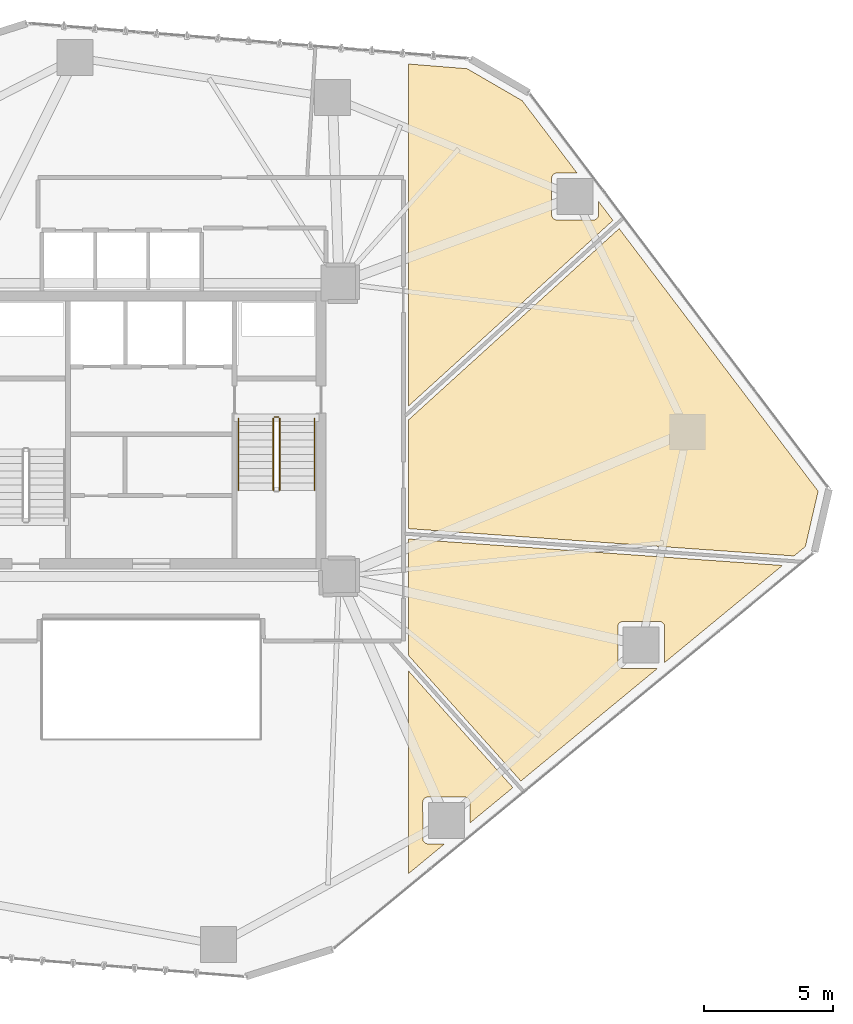
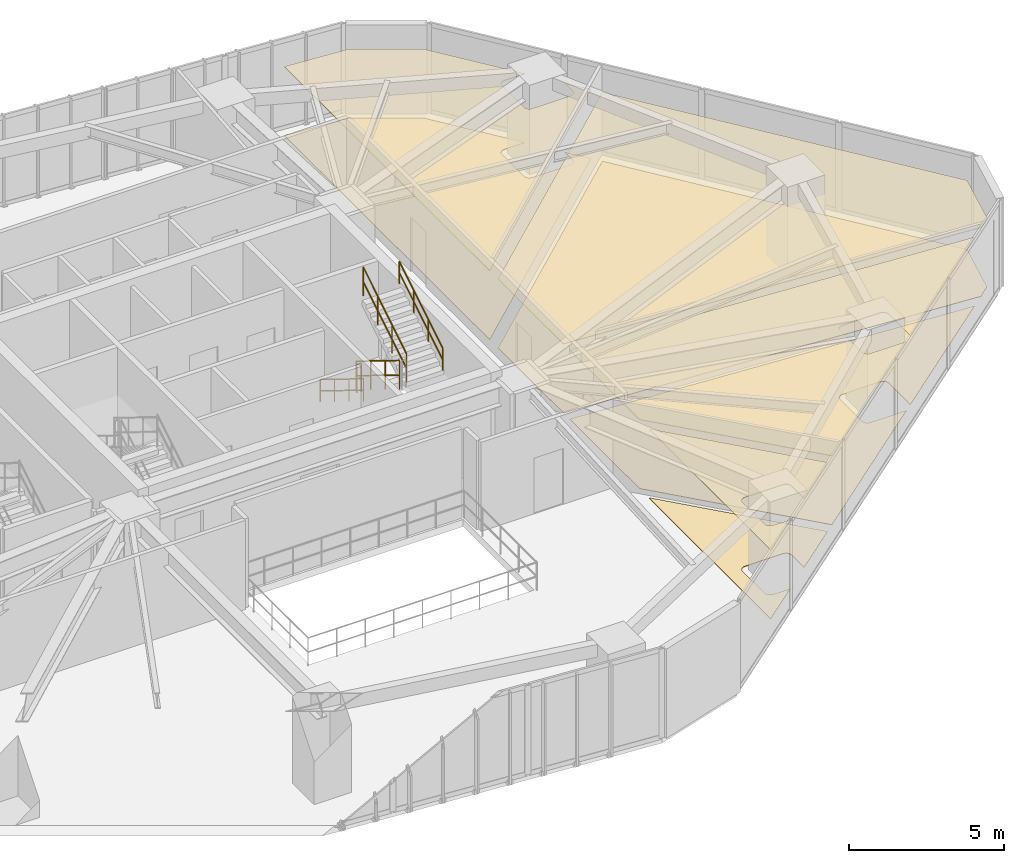
# One storey, part 22 of 23: 8 coverings, 5 railings.
"""IFC4 building model written with IfcOpenShell, lengths in metres."""

from ifc_helpers import new_model, si_unit, direction, frame, origin, origin_2d, place, context, subcontext, project, spatial, polyline, circle, outline, extrude, material, layer, layer_set, type_object, element, save


model = new_model("IFC4")

# Units and contexts
model_context = context("Model", 3, precision=1e-05, world=origin(), true_north=direction((0.0, 1.0)))
body_context = subcontext(model_context, "Body", "Model", "MODEL_VIEW")
ifc_project = project(units=[si_unit("LENGTHUNIT", "METRE"), si_unit("AREAUNIT", "SQUARE_METRE"), si_unit("VOLUMEUNIT", "CUBIC_METRE"), si_unit("PLANEANGLEUNIT", "RADIAN"), si_unit("MASSUNIT", "GRAM", prefix="KILO")], contexts=[model_context])

# Site, building, storey
site_placement = place(None, origin())
site = spatial("IfcSite", under=ifc_project, at=site_placement, CompositionType="ELEMENT")
building_placement = place(site_placement, origin())
building = spatial("IfcBuilding", under=site, at=building_placement, Name="Talar Marvaseh", CompositionType="ELEMENT")
storey_placement = place(building_placement, frame((0.0, 0.0, 77.199951171875)))
storey = spatial("IfcBuildingStorey", under=building, at=storey_placement, Name="L19", CompositionType="ELEMENT", Elevation=77.199951171875)

# Railings
ifc_material_1 = material(Name="Stainless Steel Grade 316", Category="steel")
railing_type_1 = type_object("IfcRailingType", Name="Brushed Stainless Wall Pitch Handrail 900", PredefinedType="HANDRAIL", material=ifc_material_1)
railing_1_placement = place(storey_placement, frame((29.389892578125, 31.64990234375, 0.1728515625)))
element("IfcRailing", 1, at=railing_1_placement, inside=storey, type_object=railing_type_1, Name="L19 ST-2 stair handrail 1", PredefinedType="HANDRAIL", context=body_context, shape_type="SweptSolid", body=[
    extrude(circle(Radius=0.02392578125, at=origin_2d()), frame((0.0, 0.0, 0.8759765625), z_axis=(0.0, -0.851069175582, 0.525053576669), x_axis=(1.0, 0.0, 0.0)), (0.0, 0.0, 1.0), 3.289794921875),
    extrude(circle(Radius=0.02392578125, at=origin_2d()), frame((0.0, 0.0, 0.42578125), z_axis=(0.0, -0.851069175582, 0.525053576669), x_axis=(1.0, 0.0, 0.0)), (0.0, 0.0, 1.0), 3.289794921875),
    extrude(circle(Radius=0.02099609375, at=origin_2d()), origin(), (0.0, 0.0, 1.0), 0.851806640625),
    extrude(circle(Radius=0.02099609375, at=origin_2d()), frame((0.0, -0.933349609375, 0.57568359375)), (0.0, 0.0, 1.0), 0.851806640625),
    extrude(circle(Radius=0.02099609375, at=origin_2d()), frame((0.0, -1.866455078125, 1.151611328125)), (0.0, 0.0, 1.0), 0.851806640625),
    extrude(circle(Radius=0.02099609375, at=origin_2d()), frame((0.0, -2.7998046875, 1.727294921875)), (0.0, 0.0, 1.0), 0.851806640625),
])
railing_2_placement = place(storey_placement, frame((32.35009765625, 28.85009765625, 2.07275390625)))
element("IfcRailing", 2, at=railing_2_placement, inside=storey, type_object=railing_type_1, Name="L19 ST-2 stair handrail 2", PredefinedType="HANDRAIL", context=body_context, shape_type="SweptSolid", body=[
    extrude(circle(Radius=0.02392578125, at=origin_2d()), frame((0.0, 0.0, 0.8759765625), z_axis=(0.0, 0.851069175582, 0.525053576669), x_axis=(-1.0, 0.0, 0.0)), (0.0, 0.0, 1.0), 3.289794921875),
    extrude(circle(Radius=0.02392578125, at=origin_2d()), frame((0.0, 0.0, 0.42578125), z_axis=(0.0, 0.851069175582, 0.525053576669), x_axis=(-1.0, 0.0, 0.0)), (0.0, 0.0, 1.0), 3.289794921875),
    extrude(circle(Radius=0.02099609375, at=origin_2d()), origin(), (0.0, 0.0, 1.0), 0.851806640625),
    extrude(circle(Radius=0.02099609375, at=origin_2d()), frame((0.0, 0.933349609375, 0.57568359375)), (0.0, 0.0, 1.0), 0.851806640625),
    extrude(circle(Radius=0.02099609375, at=origin_2d()), frame((0.0, 1.866455078125, 1.151611328125)), (0.0, 0.0, 1.0), 0.851806640625),
    extrude(circle(Radius=0.02099609375, at=origin_2d()), frame((0.0, 2.7998046875, 1.727294921875)), (0.0, 0.0, 1.0), 0.851806640625),
])
railing_type_2 = type_object("IfcRailingType", Name="Painted Steel Core Stair Well Guardrail 1150", PredefinedType="GUARDRAIL", material=ifc_material_1)
railing_3_placement = place(storey_placement, frame((30.739990234375, 31.64990234375, 0.1728515625)))
element("IfcRailing", 3, at=railing_3_placement, inside=storey, type_object=railing_type_2, Name="L19 ST-2 stair guard 1", PredefinedType="GUARDRAIL", context=body_context, shape_type="SweptSolid", body=[
    extrude(circle(Radius=0.02392578125, at=origin_2d()), frame((0.0, 0.0, 1.1259765625), z_axis=(0.0, -0.851069175582, 0.525053576669), x_axis=(1.0, 0.0, 0.0)), (0.0, 0.0, 1.0), 3.289794921875),
    extrude(circle(Radius=0.02392578125, at=origin_2d()), frame((0.0, 0.0, 0.55078125), z_axis=(0.0, -0.851069175582, 0.525053576669), x_axis=(1.0, 0.0, 0.0)), (0.0, 0.0, 1.0), 3.289794921875),
    extrude(circle(Radius=0.02099609375, at=origin_2d()), origin(), (0.0, 0.0, 1.0), 1.101806640625),
    extrude(circle(Radius=0.02099609375, at=origin_2d()), frame((0.0, -0.933349609375, 0.57568359375)), (0.0, 0.0, 1.0), 1.101806640625),
    extrude(circle(Radius=0.02099609375, at=origin_2d()), frame((0.0, -1.866455078125, 1.151611328125)), (0.0, 0.0, 1.0), 1.101806640625),
    extrude(circle(Radius=0.02099609375, at=origin_2d()), frame((0.0, -2.7998046875, 1.727294921875)), (0.0, 0.0, 1.0), 1.101806640625),
])
railing_4_placement = place(storey_placement, frame((31.0, 28.85009765625, 2.07275390625)))
element("IfcRailing", 4, at=railing_4_placement, inside=storey, type_object=railing_type_2, Name="L19 ST-2 stair guard 3", PredefinedType="GUARDRAIL", context=body_context, shape_type="SweptSolid", body=[
    extrude(circle(Radius=0.02392578125, at=origin_2d()), frame((0.0, 0.0, 1.1259765625), z_axis=(0.0, 0.851069175582, 0.525053576669), x_axis=(-1.0, 0.0, 0.0)), (0.0, 0.0, 1.0), 3.289794921875),
    extrude(circle(Radius=0.02392578125, at=origin_2d()), frame((0.0, 0.0, 0.55078125), z_axis=(0.0, 0.851069175582, 0.525053576669), x_axis=(-1.0, 0.0, 0.0)), (0.0, 0.0, 1.0), 3.289794921875),
    extrude(circle(Radius=0.02099609375, at=origin_2d()), origin(), (0.0, 0.0, 1.0), 1.101806640625),
    extrude(circle(Radius=0.02099609375, at=origin_2d()), frame((0.0, 0.933349609375, 0.57568359375)), (0.0, 0.0, 1.0), 1.101806640625),
    extrude(circle(Radius=0.02099609375, at=origin_2d()), frame((0.0, 1.866455078125, 1.151611328125)), (0.0, 0.0, 1.0), 1.101806640625),
    extrude(circle(Radius=0.02099609375, at=origin_2d()), frame((0.0, 2.7998046875, 1.727294921875)), (0.0, 0.0, 1.0), 1.101806640625),
])
railing_5_placement = place(storey_placement, frame((30.7900390625, 31.699951171875, 0.0)))
element("IfcRailing", 5, at=railing_5_placement, inside=storey, type_object=railing_type_2, Name="L19 ST-2 stair guard 4", PredefinedType="GUARDRAIL", context=body_context, shape_type="SweptSolid", body=[
    extrude(circle(Radius=0.02392578125, at=origin_2d()), frame((0.0, 0.0, 1.1259765625), z_axis=(1.0, 0.0, 0.0), x_axis=(0.0, 1.0, 0.0)), (0.0, 0.0, 1.0), 0.159912109375),
    extrude(circle(Radius=0.02392578125, at=origin_2d()), frame((0.0, 0.0, 0.55078125), z_axis=(1.0, 0.0, 0.0), x_axis=(0.0, 1.0, 0.0)), (0.0, 0.0, 1.0), 0.159912109375),
    extrude(circle(Radius=0.02099609375, at=origin_2d()), origin(), (0.0, 0.0, 1.0), 1.101806640625),
    extrude(circle(Radius=0.02099609375, at=origin_2d()), frame((0.159912109375, 0.0, 0.0)), (0.0, 0.0, 1.0), 1.101806640625),
])

# Coverings
ifc_material_2 = material(Name="Mineral Fibre Acoustic Ceiling")
ifc_layer_1 = layer(ifc_material_2, 0.02490234375)
ifc_layer_set_1 = layer_set([ifc_layer_1], Name="Mineral Fibre Acoustic Ceiling")
covering_type_1 = type_object("IfcCoveringType", Name="Perforated Mineral Fibre Acoustic Suspended Ceiling", PredefinedType="CEILING", material=ifc_layer_set_1)
covering_1_placement = place(storey_placement, frame((0.0, 0.0, 2.719970703125)))
element("IfcCovering", 6, at=covering_1_placement, inside=storey, type_object=covering_type_1, Name="L19 Exhibition Gallery Acoustic Ceiling", PredefinedType="CEILING", context=body_context, shape_type="SweptSolid", body=[
    extrude(outline(polyline([(38.383056640625, 15.9169921875), (38.383056640625, 16.720947265625), (38.382080078125, 16.73876953125), (38.3798828125, 16.756103515625), (38.3759765625, 16.7734375), (38.37060546875, 16.790283203125), (38.36376953125, 16.806640625), (38.358154296875, 16.818359375), (38.348388671875, 16.836181640625), (38.3369140625, 16.853271484375), (38.32373046875, 16.868896484375), (38.30908203125, 16.88330078125), (38.29296875, 16.89599609375), (38.275634765625, 16.906982421875), (38.25732421875, 16.916015625), (38.238037109375, 16.923095703125), (38.21826171875, 16.928466796875), (38.197998046875, 16.931396484375), (38.177490234375, 16.9326171875), (36.758544921875, 16.9326171875), (36.738037109375, 16.931396484375), (36.7177734375, 16.928466796875), (36.697998046875, 16.923095703125), (36.6787109375, 16.916015625), (36.660400390625, 16.906982421875), (36.64306640625, 16.89599609375), (36.626953125, 16.88330078125), (36.6123046875, 16.868896484375), (36.59912109375, 16.853271484375), (36.58740234375, 16.836181640625), (36.577880859375, 16.818359375), (36.572265625, 16.806640625), (36.5654296875, 16.790283203125), (36.56005859375, 16.773193359375), (36.55615234375, 16.755859375), (36.5537109375, 16.73828125), (36.552978515625, 16.720458984375), (36.556396484375, 15.31103515625), (36.5576171875, 15.29052734375), (36.560791015625, 15.2705078125), (36.56591796875, 15.25048828125), (36.572998046875, 15.2314453125), (36.582275390625, 15.213134765625), (36.59326171875, 15.19580078125), (36.60595703125, 15.1796875), (36.6201171875, 15.1650390625), (36.6357421875, 15.152099609375), (36.652587890625, 15.140380859375), (36.670654296875, 15.130859375), (36.682373046875, 15.125244140625), (36.698486328125, 15.118408203125), (36.715576171875, 15.113037109375), (36.73291015625, 15.109130859375), (36.750244140625, 15.106689453125), (36.76806640625, 15.10595703125), (37.39892578125, 15.10595703125), (36.0, 13.953125), (36.0, 21.833984375), (40.05810546875, 17.29736328125), (38.383056640625, 15.9169921875)])), origin(), (0.0, 0.0, 1.0), 0.025146484375),
])
covering_2_placement = place(storey_placement, frame((0.0, 0.0, 2.719970703125)))
element("IfcCovering", 7, at=covering_2_placement, inside=storey, type_object=covering_type_1, Name="L19 Curatorial Staff Control Room Acoustic Ceiling", PredefinedType="CEILING", context=body_context, shape_type="SweptSolid", body=[
    extrude(outline(polyline([(50.533447265625, 25.9296875), (45.95458984375, 22.156494140625), (45.958984375, 23.541015625), (45.9580078125, 23.5595703125), (45.95556640625, 23.577880859375), (45.951416015625, 23.595947265625), (45.9453125, 23.61376953125), (45.93798828125, 23.630615234375), (45.9287109375, 23.64697265625), (45.918212890625, 23.662353515625), (45.906494140625, 23.676513671875), (45.893310546875, 23.689697265625), (45.87841796875, 23.703125), (45.864013671875, 23.715087890625), (45.848876953125, 23.725341796875), (45.83251953125, 23.734375), (45.815673828125, 23.74169921875), (45.798095703125, 23.74755859375), (45.780029296875, 23.751708984375), (45.76171875, 23.754150390625), (45.743408203125, 23.7548828125), (44.332763671875, 23.75048828125), (44.313232421875, 23.74951171875), (44.293701171875, 23.74658203125), (44.27490234375, 23.74169921875), (44.25634765625, 23.735107421875), (44.23876953125, 23.726806640625), (44.221923828125, 23.716796875), (44.206298828125, 23.705078125), (44.19189453125, 23.69189453125), (44.1787109375, 23.67724609375), (44.1669921875, 23.66162109375), (44.156982421875, 23.644775390625), (44.148681640625, 23.626953125), (44.14208984375, 23.6083984375), (44.13720703125, 23.589599609375), (44.134521484375, 23.5703125), (44.13330078125, 23.550537109375), (44.13330078125, 22.12939453125), (44.134521484375, 22.10986328125), (44.13720703125, 22.09033203125), (44.14208984375, 22.0712890625), (44.148681640625, 22.052978515625), (44.156982421875, 22.03515625), (44.1669921875, 22.018310546875), (44.1787109375, 22.00244140625), (44.19189453125, 21.988037109375), (44.20654296875, 21.974853515625), (44.222412109375, 21.963134765625), (44.239013671875, 21.952880859375), (44.2568359375, 21.944580078125), (44.275390625, 21.93798828125), (44.29443359375, 21.93310546875), (44.313720703125, 21.930419921875), (44.33349609375, 21.929443359375), (45.678955078125, 21.929443359375), (40.3671875, 17.552001953125), (36.0, 22.43408203125), (36.0, 23.0), (36.0, 26.95947265625), (50.533447265625, 25.9296875)])), origin(), (0.0, 0.0, 1.0), 0.025146484375),
])
covering_3_placement = place(storey_placement, frame((0.0, 0.0, 2.719970703125)))
element("IfcCovering", 8, at=covering_3_placement, inside=storey, type_object=covering_type_1, Name="L19 Main Reading Room Acoustic Ceiling", PredefinedType="CEILING", context=body_context, shape_type="SweptSolid", body=[
    extrude(outline(polyline([(36.0, 27.3603515625), (36.0, 31.58740234375), (44.188232421875, 39.02099609375), (51.919677734375, 28.818603515625), (51.42529296875, 26.664794921875), (50.9814453125, 26.299072265625), (36.0, 27.3603515625)])), origin(), (0.0, 0.0, 1.0), 0.025146484375),
])
covering_4_placement = place(storey_placement, frame((0.0, 0.0, 2.719970703125)))
element("IfcCovering", 9, at=covering_4_placement, inside=storey, type_object=covering_type_1, Name="L19 Registrar Mail and Post Room Acoustic Ceiling", PredefinedType="CEILING", context=body_context, shape_type="SweptSolid", body=[
    extrude(outline(polyline([(40.420654296875, 43.992919921875), (42.54931640625, 41.18408203125), (41.777099609375, 41.18408203125), (41.75927734375, 41.18310546875), (41.74169921875, 41.180908203125), (41.724609375, 41.177001953125), (41.70751953125, 41.171630859375), (41.69140625, 41.164794921875), (41.6796875, 41.1591796875), (41.66162109375, 41.1494140625), (41.644775390625, 41.137939453125), (41.62890625, 41.124755859375), (41.61474609375, 41.110107421875), (41.60205078125, 41.093994140625), (41.591064453125, 41.076416015625), (41.58203125, 41.05810546875), (41.57470703125, 41.0390625), (41.569580078125, 41.01904296875), (41.56640625, 40.998779296875), (41.5654296875, 40.978515625), (41.56640625, 39.558349609375), (41.5673828125, 39.538818359375), (41.5703125, 39.519287109375), (41.574951171875, 39.500244140625), (41.581787109375, 39.481689453125), (41.590087890625, 39.464111328125), (41.60009765625, 39.447265625), (41.61181640625, 39.431396484375), (41.625, 39.4169921875), (41.639404296875, 39.40380859375), (41.6552734375, 39.39208984375), (41.672119140625, 39.382080078125), (41.689697265625, 39.373779296875), (41.708251953125, 39.366943359375), (41.727294921875, 39.3623046875), (41.74658203125, 39.359375), (41.766357421875, 39.3583984375), (43.186279296875, 39.357421875), (43.206787109375, 39.3583984375), (43.22705078125, 39.361572265625), (43.2470703125, 39.36669921875), (43.26611328125, 39.3740234375), (43.284423828125, 39.383056640625), (43.302001953125, 39.39404296875), (43.318115234375, 39.40673828125), (43.332763671875, 39.4208984375), (43.345947265625, 39.436767578125), (43.357421875, 39.45361328125), (43.3671875, 39.4716796875), (43.372802734375, 39.4833984375), (43.379638671875, 39.49951171875), (43.385009765625, 39.5166015625), (43.388916015625, 39.53369140625), (43.39111328125, 39.55126953125), (43.39208984375, 39.569091796875), (43.39208984375, 40.072021484375), (43.94580078125, 39.34130859375), (36.0, 32.127685546875), (36.0, 41.0), (36.0, 45.418701171875), (38.277587890625, 45.23681640625), (40.420654296875, 43.992919921875)])), origin(), (0.0, 0.0, 1.0), 0.025146484375),
])
ifc_material_3 = material(Name="Porcelain Stoneware Tile", Category="masonry")
ifc_layer_2 = layer(ifc_material_3, 0.02001953125)
ifc_layer_set_2 = layer_set([ifc_layer_2], Name="Porcelain Stoneware Tile")
covering_type_2 = type_object("IfcCoveringType", Name="Polished Porcelain Stoneware Gallery Flooring", PredefinedType="FLOORING", material=ifc_layer_set_2)
covering_5_placement = place(storey_placement, origin())
element("IfcCovering", 10, at=covering_5_placement, inside=storey, type_object=covering_type_2, Name="L19 Exhibition Gallery Flooring", PredefinedType="FLOORING", context=body_context, shape_type="SweptSolid", body=[
    extrude(outline(polyline([(38.383056640625, 15.9169921875), (38.383056640625, 16.720947265625), (38.382080078125, 16.73876953125), (38.3798828125, 16.756103515625), (38.3759765625, 16.7734375), (38.37060546875, 16.790283203125), (38.36376953125, 16.806640625), (38.358154296875, 16.818359375), (38.348388671875, 16.836181640625), (38.3369140625, 16.853271484375), (38.32373046875, 16.868896484375), (38.30908203125, 16.88330078125), (38.29296875, 16.89599609375), (38.275634765625, 16.906982421875), (38.25732421875, 16.916015625), (38.238037109375, 16.923095703125), (38.21826171875, 16.928466796875), (38.197998046875, 16.931396484375), (38.177490234375, 16.9326171875), (36.758544921875, 16.9326171875), (36.738037109375, 16.931396484375), (36.7177734375, 16.928466796875), (36.697998046875, 16.923095703125), (36.6787109375, 16.916015625), (36.660400390625, 16.906982421875), (36.64306640625, 16.89599609375), (36.626953125, 16.88330078125), (36.6123046875, 16.868896484375), (36.59912109375, 16.853271484375), (36.58740234375, 16.836181640625), (36.577880859375, 16.818359375), (36.572265625, 16.806640625), (36.5654296875, 16.790283203125), (36.56005859375, 16.773193359375), (36.55615234375, 16.755859375), (36.5537109375, 16.73828125), (36.552978515625, 16.720458984375), (36.556396484375, 15.31103515625), (36.5576171875, 15.29052734375), (36.560791015625, 15.2705078125), (36.56591796875, 15.25048828125), (36.572998046875, 15.2314453125), (36.582275390625, 15.213134765625), (36.59326171875, 15.19580078125), (36.60595703125, 15.1796875), (36.6201171875, 15.1650390625), (36.6357421875, 15.152099609375), (36.652587890625, 15.140380859375), (36.670654296875, 15.130859375), (36.682373046875, 15.125244140625), (36.698486328125, 15.118408203125), (36.715576171875, 15.113037109375), (36.73291015625, 15.109130859375), (36.750244140625, 15.106689453125), (36.76806640625, 15.10595703125), (37.39892578125, 15.10595703125), (36.0, 13.953125), (36.0, 21.833984375), (40.05810546875, 17.29736328125), (38.383056640625, 15.9169921875)])), origin(), (0.0, 0.0, 1.0), 0.02001953125),
])
covering_6_placement = place(storey_placement, origin())
element("IfcCovering", 11, at=covering_6_placement, inside=storey, type_object=covering_type_2, Name="L19 Curatorial Staff Control Room Flooring", PredefinedType="FLOORING", context=body_context, shape_type="SweptSolid", body=[
    extrude(outline(polyline([(50.533447265625, 25.9296875), (45.95458984375, 22.156494140625), (45.958984375, 23.541015625), (45.9580078125, 23.5595703125), (45.95556640625, 23.577880859375), (45.951416015625, 23.595947265625), (45.9453125, 23.61376953125), (45.93798828125, 23.630615234375), (45.9287109375, 23.64697265625), (45.918212890625, 23.662353515625), (45.906494140625, 23.676513671875), (45.893310546875, 23.689697265625), (45.87841796875, 23.703125), (45.864013671875, 23.715087890625), (45.848876953125, 23.725341796875), (45.83251953125, 23.734375), (45.815673828125, 23.74169921875), (45.798095703125, 23.74755859375), (45.780029296875, 23.751708984375), (45.76171875, 23.754150390625), (45.743408203125, 23.7548828125), (44.332763671875, 23.75048828125), (44.313232421875, 23.74951171875), (44.293701171875, 23.74658203125), (44.27490234375, 23.74169921875), (44.25634765625, 23.735107421875), (44.23876953125, 23.726806640625), (44.221923828125, 23.716796875), (44.206298828125, 23.705078125), (44.19189453125, 23.69189453125), (44.1787109375, 23.67724609375), (44.1669921875, 23.66162109375), (44.156982421875, 23.644775390625), (44.148681640625, 23.626953125), (44.14208984375, 23.6083984375), (44.13720703125, 23.589599609375), (44.134521484375, 23.5703125), (44.13330078125, 23.550537109375), (44.13330078125, 22.12939453125), (44.134521484375, 22.10986328125), (44.13720703125, 22.09033203125), (44.14208984375, 22.0712890625), (44.148681640625, 22.052978515625), (44.156982421875, 22.03515625), (44.1669921875, 22.018310546875), (44.1787109375, 22.00244140625), (44.19189453125, 21.988037109375), (44.20654296875, 21.974853515625), (44.222412109375, 21.963134765625), (44.239013671875, 21.952880859375), (44.2568359375, 21.944580078125), (44.275390625, 21.93798828125), (44.29443359375, 21.93310546875), (44.313720703125, 21.930419921875), (44.33349609375, 21.929443359375), (45.678955078125, 21.929443359375), (40.3671875, 17.552001953125), (36.0, 22.43408203125), (36.0, 23.0), (36.0, 26.95947265625), (50.533447265625, 25.9296875)])), origin(), (0.0, 0.0, 1.0), 0.02001953125),
])
covering_7_placement = place(storey_placement, origin())
element("IfcCovering", 12, at=covering_7_placement, inside=storey, type_object=covering_type_2, Name="L19 Main Reading Room Flooring", PredefinedType="FLOORING", context=body_context, shape_type="SweptSolid", body=[
    extrude(outline(polyline([(36.0, 27.3603515625), (36.0, 31.58740234375), (44.188232421875, 39.02099609375), (51.919677734375, 28.818603515625), (51.42529296875, 26.664794921875), (50.9814453125, 26.299072265625), (36.0, 27.3603515625)])), origin(), (0.0, 0.0, 1.0), 0.02001953125),
])
covering_8_placement = place(storey_placement, origin())
element("IfcCovering", 13, at=covering_8_placement, inside=storey, type_object=covering_type_2, Name="L19 Registrar Mail and Post Room Flooring", PredefinedType="FLOORING", context=body_context, shape_type="SweptSolid", body=[
    extrude(outline(polyline([(40.420654296875, 43.992919921875), (42.54931640625, 41.18408203125), (41.777099609375, 41.18408203125), (41.75927734375, 41.18310546875), (41.74169921875, 41.180908203125), (41.724609375, 41.177001953125), (41.70751953125, 41.171630859375), (41.69140625, 41.164794921875), (41.6796875, 41.1591796875), (41.66162109375, 41.1494140625), (41.644775390625, 41.137939453125), (41.62890625, 41.124755859375), (41.61474609375, 41.110107421875), (41.60205078125, 41.093994140625), (41.591064453125, 41.076416015625), (41.58203125, 41.05810546875), (41.57470703125, 41.0390625), (41.569580078125, 41.01904296875), (41.56640625, 40.998779296875), (41.5654296875, 40.978515625), (41.56640625, 39.558349609375), (41.5673828125, 39.538818359375), (41.5703125, 39.519287109375), (41.574951171875, 39.500244140625), (41.581787109375, 39.481689453125), (41.590087890625, 39.464111328125), (41.60009765625, 39.447265625), (41.61181640625, 39.431396484375), (41.625, 39.4169921875), (41.639404296875, 39.40380859375), (41.6552734375, 39.39208984375), (41.672119140625, 39.382080078125), (41.689697265625, 39.373779296875), (41.708251953125, 39.366943359375), (41.727294921875, 39.3623046875), (41.74658203125, 39.359375), (41.766357421875, 39.3583984375), (43.186279296875, 39.357421875), (43.206787109375, 39.3583984375), (43.22705078125, 39.361572265625), (43.2470703125, 39.36669921875), (43.26611328125, 39.3740234375), (43.284423828125, 39.383056640625), (43.302001953125, 39.39404296875), (43.318115234375, 39.40673828125), (43.332763671875, 39.4208984375), (43.345947265625, 39.436767578125), (43.357421875, 39.45361328125), (43.3671875, 39.4716796875), (43.372802734375, 39.4833984375), (43.379638671875, 39.49951171875), (43.385009765625, 39.5166015625), (43.388916015625, 39.53369140625), (43.39111328125, 39.55126953125), (43.39208984375, 39.569091796875), (43.39208984375, 40.072021484375), (43.94580078125, 39.34130859375), (36.0, 32.127685546875), (36.0, 41.0), (36.0, 45.418701171875), (38.277587890625, 45.23681640625), (40.420654296875, 43.992919921875)])), origin(), (0.0, 0.0, 1.0), 0.02001953125),
])

save(model, "model.ifc")
